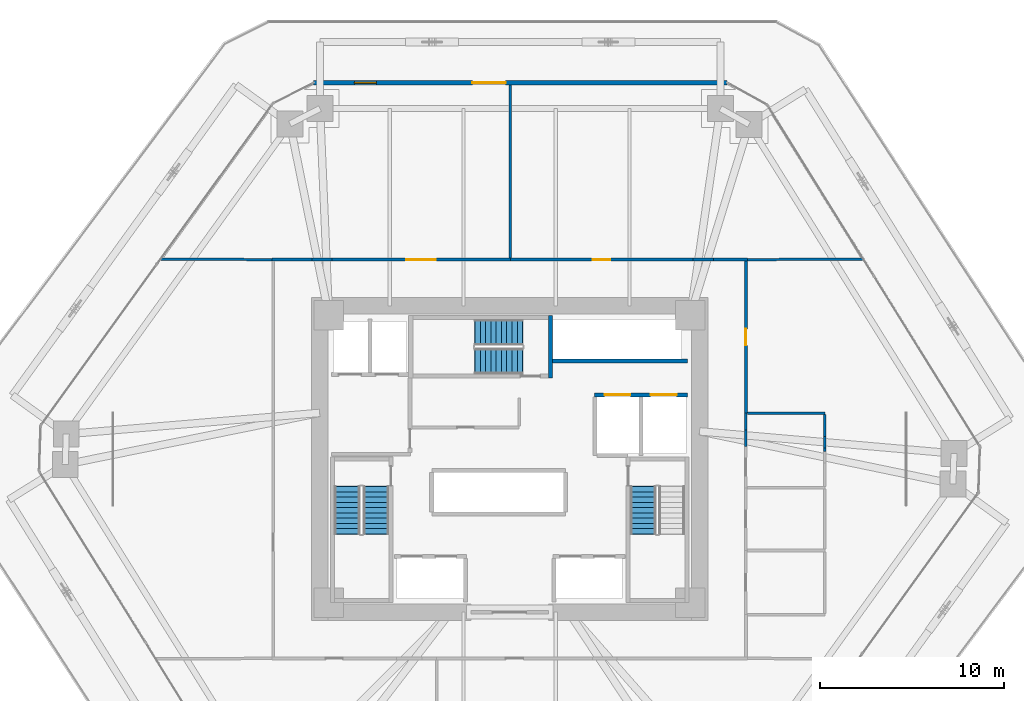
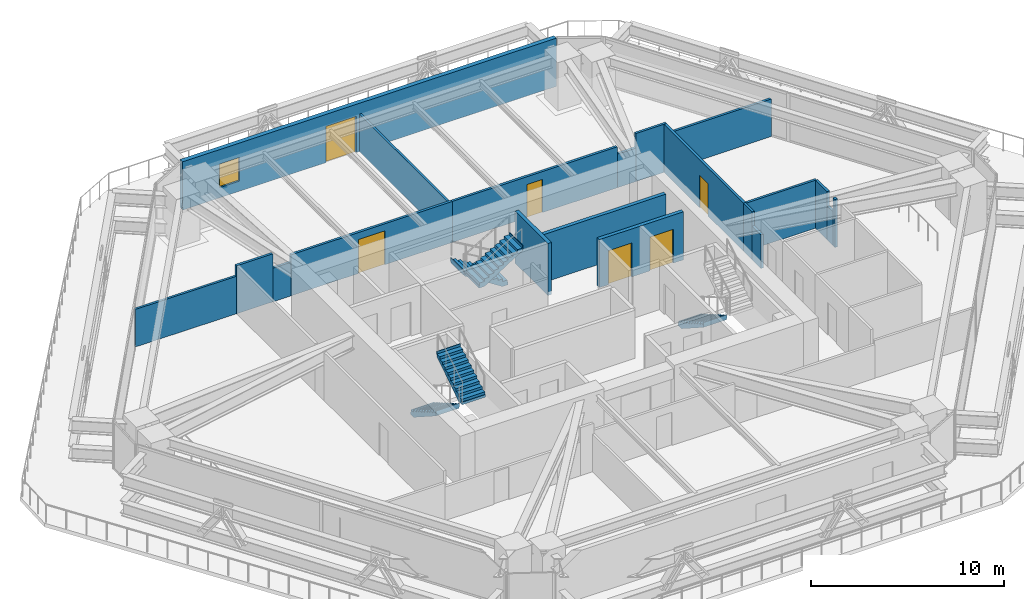
# One storey, part 15 of 20: 20 walls, 6 doors, 5 stair flights, 1 window, 7 openings, 3 elements without a shape of their own.
"""IFC4 building model written with IfcOpenShell, lengths in metres."""

from ifc_helpers import new_model, si_unit, direction, frame, frame_2d, origin, place, context, subcontext, project, spatial, polyline, rectangle, outline, extrude, source, transform, mapped, material, layer, layer_set, type_object, type_shapes, element, fill, aggregate, save


model = new_model("IFC4")

# Units and contexts
model_context = context("Model", 3, precision=1e-05, world=origin(), true_north=direction((0.0, 1.0)))
body_context = subcontext(model_context, "Body", "Model", "MODEL_VIEW")
ifc_project = project(units=[si_unit("LENGTHUNIT", "METRE"), si_unit("AREAUNIT", "SQUARE_METRE"), si_unit("VOLUMEUNIT", "CUBIC_METRE"), si_unit("PLANEANGLEUNIT", "RADIAN"), si_unit("MASSUNIT", "GRAM", prefix="KILO")], contexts=[model_context])

# Site, building, storey
site_placement = place(None, origin())
site = spatial("IfcSite", under=ifc_project, at=site_placement, CompositionType="ELEMENT")
building_placement = place(site_placement, origin())
building = spatial("IfcBuilding", under=site, at=building_placement, Name="Durnholm Broadcast Tower", CompositionType="ELEMENT")
storey_placement = place(building_placement, frame((0.0, 0.0, 32.39990234375)))
storey = spatial("IfcBuildingStorey", under=building, at=storey_placement, Name="L06", CompositionType="ELEMENT", Elevation=32.39990234375)

# Wall, openings, door, window
ifc_material_1 = material(Name="Precast Concrete C45/55", Category="concrete")
ifc_layer_1 = layer(ifc_material_1, 0.260009765625)
ifc_layer_set_1 = layer_set([ifc_layer_1], Name="Precast Concrete C45/55")
wall_type_1 = type_object("IfcWallType", Name="WALL-EXT-260", PredefinedType="SOLIDWALL", material=ifc_layer_set_1)
wall_1_placement = place(storey_placement, frame((-10.6201171875, 20.39990234375, 0.0), z_axis=(0.0, 0.0, 1.0), x_axis=(1.0, 0.0, 0.0)))
wall_1 = element("IfcWall", 1, at=wall_1_placement, inside=storey, type_object=wall_type_1, Name="L06 planted sky-terrace access wall 04", PredefinedType="SOLIDWALL", context=body_context, shape_type="SweptSolid", body=[
    extrude(rectangle(XDim=22.413818359375, YDim=0.260009765625, at=frame_2d((11.20703125, 0.0))), origin(), (0.0, 0.0, 1.0), 3.06005859375),
])
opening_1_placement = place(wall_1_placement, frame((8.60693359375, 0.0, 0.0)))
opening_1 = element("IfcOpeningElement", 2, at=opening_1_placement, cuts=wall_1, Name="Opening DT-1", PredefinedType="OPENING", context=body_context, shape_type="SweptSolid", body=[
    extrude(rectangle(XDim=1.800048828125, YDim=2.300048828125, at=frame_2d((0.89990234375, 1.14990234375))), frame((0.0, 0.14013671875, 0.0), z_axis=(0.0, -1.0, 0.0), x_axis=(1.0, 0.0, 0.0)), (0.0, 0.0, 1.0), 0.280029296875),
])
opening_2_placement = place(wall_1_placement, frame((2.199951171875, 0.0, 0.64990234375)))
opening_2 = element("IfcOpeningElement", 3, at=opening_2_placement, cuts=wall_1, Name="Opening W5", PredefinedType="OPENING", context=body_context, shape_type="SweptSolid", body=[
    extrude(rectangle(XDim=1.199951171875, YDim=1.5, at=frame_2d((0.60009765625, 0.75))), frame((0.0, 0.14013671875, 0.0), z_axis=(0.0, -1.0, 0.0), x_axis=(1.0, 0.0, 0.0)), (0.0, 0.0, 1.0), 0.280029296875),
])
ifc_material_2 = material(Name="Anodised Aluminium and Laminated Safety Glass", Category="aluminium")
ifc_layer_2 = layer(ifc_material_2, 0.050048828125)
ifc_layer_set_2 = layer_set([ifc_layer_2], Name="Anodised Aluminium and Laminated Safety Glass")
door_type_1 = type_object("IfcDoorType", Name="DOOR-EXT-TERR", OperationType="DOUBLE_DOOR_SINGLE_SWING", PredefinedType="DOOR", material=ifc_layer_set_2)
shared_shape_1 = source(origin(), body_context, "Body", "SweptSolid", [
    extrude(rectangle(XDim=1.800048828125, YDim=2.300048828125, at=frame_2d((0.89990234375, 1.14990234375))), frame((0.0, 0.02490234375, 0.0), z_axis=(0.0, -1.0, 0.0), x_axis=(1.0, 0.0, 0.0)), (0.0, 0.0, 1.0), 0.050048828125),
])
type_shapes(door_type_1, [shared_shape_1])
door_1_placement = place(opening_1_placement, origin())
door_1 = element("IfcDoor", 4, at=door_1_placement, inside=storey, type_object=door_type_1, Name="L06 planted sky-terrace access door 04", OperationType="DOUBLE_DOOR_SINGLE_SWING", OverallHeight=2.300048828125, OverallWidth=1.800048828125, PredefinedType="DOOR", context=body_context, shape_type="MappedRepresentation", body=[
    mapped(shared_shape_1, transform((0.0, 0.0, 0.0), x_axis=(1.0, 0.0, 0.0), y_axis=(0.0, 1.0, 0.0), z_axis=(0.0, 0.0, 1.0), scale=1.0)),
])
fill(opening_1, door_1)
ifc_material_3 = material(Name="Thermally Broken Aluminium and Laminated Glass", Category="aluminium")
ifc_layer_3 = layer(ifc_material_3, 0.06005859375)
ifc_layer_set_3 = layer_set([ifc_layer_3], Name="Thermally Broken Aluminium and Laminated Glass")
window_type = type_object("IfcWindowType", Name="WIN-W5", PartitioningType="SINGLE_PANEL", PredefinedType="WINDOW", material=ifc_layer_set_3)
shared_shape_2 = source(origin(), body_context, "Body", "SweptSolid", [
    extrude(rectangle(XDim=1.199951171875, YDim=1.5, at=frame_2d((0.60009765625, 0.75))), frame((0.0, 0.030029296875, 0.0), z_axis=(0.0, -1.0, 0.0), x_axis=(1.0, 0.0, 0.0)), (0.0, 0.0, 1.0), 0.06005859375),
])
type_shapes(window_type, [shared_shape_2])
window_placement = place(opening_2_placement, origin())
window = element("IfcWindow", 5, at=window_placement, inside=storey, type_object=window_type, Name="L06 terrace lounge window", OverallHeight=1.5, OverallWidth=1.199951171875, PartitioningType="SINGLE_PANEL", PredefinedType="WINDOW", context=body_context, shape_type="MappedRepresentation", body=[
    mapped(shared_shape_2, transform((0.0, 0.0, 0.0), x_axis=(1.0, 0.0, 0.0), y_axis=(0.0, 1.0, 0.0), z_axis=(0.0, 0.0, 1.0), scale=1.0)),
])
fill(opening_2, window)

# Walls
ifc_material_4 = material(Name="Gypsum Metal Stud Partition", Category="concrete")
ifc_layer_4 = layer(ifc_material_4, 0.135009765625)
ifc_layer_set_4 = layer_set([ifc_layer_4], Name="Gypsum Metal Stud Partition")
wall_type_2 = type_object("IfcWallType", Name="WALL-PART-135", PredefinedType="PARTITIONING", material=ifc_layer_set_4)
wall_2_placement = place(storey_placement, frame((0.0400390625, 20.264892578125, 0.0), z_axis=(0.0, 0.0, 1.0), x_axis=(0.0, -1.0, 0.0)))
element("IfcWall", 6, at=wall_2_placement, inside=storey, type_object=wall_type_2, Name="L06 room dividing partition 5.6", PredefinedType="PARTITIONING", context=body_context, shape_type="SweptSolid", body=[
    extrude(rectangle(XDim=9.3759765625, YDim=0.135009765625, at=frame_2d((4.68798828125, 0.0))), origin(), (0.0, 0.0, 1.0), 2.380126953125),
])
wall_3_placement = place(storey_placement, frame((-12.889892578125, 10.810302734375, 0.0), z_axis=(0.0, 0.0, 1.0), x_axis=(-0.999992607823, 0.003845035728, 0.0)))
element("IfcWall", 7, at=wall_3_placement, inside=storey, type_object=wall_type_2, Name="L06 room dividing partition 5.9", PredefinedType="PARTITIONING", context=body_context, shape_type="SweptSolid", body=[
    extrude(rectangle(XDim=6.031982421875, YDim=0.135009765625, at=frame_2d((3.01611328125, 0.0))), origin(), (0.0, 0.0, 1.0), 2.380126953125),
])
wall_4_placement = place(storey_placement, frame((19.18212890625, 10.831298828125, 0.0), z_axis=(0.0, 0.0, 1.0), x_axis=(-0.999994432845, -0.003336806783, 0.0)))
element("IfcWall", 8, at=wall_4_placement, inside=storey, type_object=wall_type_2, Name="L06 room dividing partition 6.10", PredefinedType="PARTITIONING", context=body_context, shape_type="SweptSolid", body=[
    extrude(rectangle(XDim=6.292236328125, YDim=0.135009765625, at=frame_2d((3.14599609375, 0.0))), origin(), (0.0, 0.0, 1.0), 2.380126953125),
])

# Wall, opening, door
ifc_material_5 = material(Name="Acoustic Gypsum Stud Partition", Category="concrete")
ifc_layer_5 = layer(ifc_material_5, 0.14990234375)
ifc_layer_set_5 = layer_set([ifc_layer_5], Name="Acoustic Gypsum Stud Partition")
wall_type_3 = type_object("IfcWallType", Name="WALL-PART-150", PredefinedType="PARTITIONING", material=ifc_layer_set_5)
wall_5_placement = place(storey_placement, frame((0.0400390625, 10.81005859375, 0.0), z_axis=(0.0, 0.0, 1.0), x_axis=(-1.0, 0.0, 0.0)))
wall_5 = element("IfcWall", 9, at=wall_5_placement, inside=storey, type_object=wall_type_3, Name="L06 Broadcast Newsroom Hall corridor partition", PredefinedType="PARTITIONING", context=body_context, shape_type="SweptSolid", body=[
    extrude(rectangle(XDim=9.66748046875, YDim=0.14990234375, at=frame_2d((4.833740234375, 0.0))), origin(), (0.0, 0.0, 1.0), 2.597900390625),
])
opening_3_placement = place(wall_5_placement, frame((4.03369140625, 0.0, 0.0)))
opening_3 = element("IfcOpeningElement", 10, at=opening_3_placement, cuts=wall_5, Name="Opening DST-160", PredefinedType="OPENING", context=body_context, shape_type="SweptSolid", body=[
    extrude(rectangle(XDim=1.60009765625, YDim=2.14990234375, at=frame_2d((0.800048828125, 1.074951171875))), frame((0.0, 0.0849609375, 0.0), z_axis=(0.0, -1.0, 0.0), x_axis=(1.0, 0.0, 0.0)), (0.0, 0.0, 1.0), 0.169921875),
])
ifc_material_6 = material(Name="Acoustic Broadcast Studio Sound-Lock Door", Category="steel")
ifc_layer_6 = layer(ifc_material_6, 0.050048828125)
ifc_layer_set_6 = layer_set([ifc_layer_6], Name="Acoustic Broadcast Studio Sound-Lock Door")
door_type_2 = type_object("IfcDoorType", Name="DOOR-STU-1600", OperationType="DOUBLE_DOOR_SINGLE_SWING", PredefinedType="DOOR", material=ifc_layer_set_6)
shared_shape_3 = source(origin(), body_context, "Body", "SweptSolid", [
    extrude(rectangle(XDim=1.60009765625, YDim=2.14990234375, at=frame_2d((0.800048828125, 1.074951171875))), frame((0.0, 0.02490234375, 0.0), z_axis=(0.0, -1.0, 0.0), x_axis=(1.0, 0.0, 0.0)), (0.0, 0.0, 1.0), 0.050048828125),
])
type_shapes(door_type_2, [shared_shape_3])
door_2_placement = place(opening_3_placement, origin())
door_2 = element("IfcDoor", 11, at=door_2_placement, inside=storey, type_object=door_type_2, Name="L06 Broadcast Newsroom Hall entrance door", OperationType="DOUBLE_DOOR_SINGLE_SWING", OverallHeight=2.14990234375, OverallWidth=1.60009765625, PredefinedType="DOOR", context=body_context, shape_type="MappedRepresentation", body=[
    mapped(shared_shape_3, transform((0.0, 0.0, 0.0), x_axis=(1.0, 0.0, 0.0), y_axis=(0.0, 1.0, 0.0), z_axis=(0.0, 0.0, 1.0), scale=1.0)),
])
fill(opening_3, door_2)

# Walls
wall_6_placement = place(storey_placement, frame((-10.719970703125, 10.81005859375, 0.0), z_axis=(0.0, 0.0, 1.0), x_axis=(-1.0, 0.0, 0.0)))
element("IfcWall", 12, at=wall_6_placement, inside=storey, type_object=wall_type_3, Name="L06 Broadcast Newsroom Hall corridor partition", PredefinedType="PARTITIONING", context=body_context, shape_type="SweptSolid", body=[
    extrude(rectangle(XDim=2.169921875, YDim=0.14990234375, at=frame_2d((1.0849609375, 0.0))), origin(), (0.0, 0.0, 1.0), 3.045166015625),
])
wall_7_placement = place(storey_placement, frame((-9.62744140625, 10.81005859375, 0.0), z_axis=(0.0, 0.0, 1.0), x_axis=(-1.0, 0.0, 0.0)))
element("IfcWall", 13, at=wall_7_placement, inside=storey, type_object=wall_type_3, Name="L06 Broadcast Newsroom Hall corridor partition", PredefinedType="PARTITIONING", context=body_context, shape_type="SweptSolid", body=[
    extrude(rectangle(XDim=1.092529296875, YDim=0.14990234375, at=frame_2d((0.54638671875, 0.0))), origin(), (0.0, 0.0, 1.0), 2.130126953125),
])
wall_8_placement = place(storey_placement, frame((12.889892578125, 10.81005859375, 0.0), z_axis=(0.0, 0.0, 1.0), x_axis=(-1.0, 0.0, 0.0)))
element("IfcWall", 14, at=wall_8_placement, inside=storey, type_object=wall_type_3, Name="L06 Live Assignment Lounge corridor partition", PredefinedType="PARTITIONING", context=body_context, shape_type="SweptSolid", body=[
    extrude(rectangle(XDim=1.847412109375, YDim=0.14990234375, at=frame_2d((0.923828125, 0.0))), origin(), (0.0, 0.0, 1.0), 3.045166015625),
])

# Wall, opening, door
wall_9_placement = place(storey_placement, frame((9.93310546875, 10.81005859375, 0.0), z_axis=(0.0, 0.0, 1.0), x_axis=(-1.0, 0.0, 0.0)))
wall_9 = element("IfcWall", 15, at=wall_9_placement, inside=storey, type_object=wall_type_3, Name="L06 Live Assignment Lounge corridor partition", PredefinedType="PARTITIONING", context=body_context, shape_type="SweptSolid", body=[
    extrude(rectangle(XDim=9.89306640625, YDim=0.14990234375, at=frame_2d((4.946533203125, 0.0))), origin(), (0.0, 0.0, 1.0), 2.597900390625),
])
opening_4_placement = place(wall_9_placement, frame((4.4716796875, 0.0, 0.0)))
opening_4 = element("IfcOpeningElement", 16, at=opening_4_placement, cuts=wall_9, Name="Opening DR-95L", PredefinedType="OPENING", context=body_context, shape_type="SweptSolid", body=[
    extrude(rectangle(XDim=0.949951171875, YDim=2.10009765625, at=frame_2d((0.47509765625, 1.050048828125))), frame((0.0, 0.0849609375, 0.0), z_axis=(0.0, -1.0, 0.0), x_axis=(1.0, 0.0, 0.0)), (0.0, 0.0, 1.0), 0.169921875),
])
ifc_material_7 = material(Name="Acoustic Oak Veneer Timber Door", Category="wood")
ifc_layer_7 = layer(ifc_material_7, 0.050048828125)
ifc_layer_set_7 = layer_set([ifc_layer_7], Name="Acoustic Oak Veneer Timber Door")
door_type_3 = type_object("IfcDoorType", Name="DOOR-RM-950L", OperationType="NOTDEFINED", PredefinedType="DOOR", material=ifc_layer_set_7)
shared_shape_4 = source(origin(), body_context, "Body", "SweptSolid", [
    extrude(rectangle(XDim=0.949951171875, YDim=2.10009765625, at=frame_2d((0.47509765625, 1.050048828125))), frame((0.0, 0.02490234375, 0.0), z_axis=(0.0, -1.0, 0.0), x_axis=(1.0, 0.0, 0.0)), (0.0, 0.0, 1.0), 0.050048828125),
])
type_shapes(door_type_3, [shared_shape_4])
door_3_placement = place(opening_4_placement, origin())
door_3 = element("IfcDoor", 17, at=door_3_placement, inside=storey, type_object=door_type_3, Name="L06 Live Assignment Lounge entrance door", OperationType="SINGLE_SWING_LEFT", OverallHeight=2.10009765625, OverallWidth=0.949951171875, PredefinedType="DOOR", context=body_context, shape_type="MappedRepresentation", body=[
    mapped(shared_shape_4, transform((0.0, 0.0, 0.0), x_axis=(1.0, 0.0, 0.0), y_axis=(0.0, 1.0, 0.0), z_axis=(0.0, 0.0, 1.0), scale=1.0)),
])
fill(opening_4, door_3)

# Wall
wall_10_placement = place(storey_placement, frame((11.04248046875, 10.81005859375, 0.0), z_axis=(0.0, 0.0, 1.0), x_axis=(-1.0, 0.0, 0.0)))
element("IfcWall", 18, at=wall_10_placement, inside=storey, type_object=wall_type_3, Name="L06 Live Assignment Lounge corridor partition", PredefinedType="PARTITIONING", context=body_context, shape_type="SweptSolid", body=[
    extrude(rectangle(XDim=1.109375, YDim=0.14990234375, at=frame_2d((0.5546875, 0.0))), origin(), (0.0, 0.0, 1.0), 2.130126953125),
])

# Wall, opening, door
wall_11_placement = place(storey_placement, frame((12.81005859375, 2.489990234375, 0.0), z_axis=(0.0, 0.0, 1.0), x_axis=(0.0, 1.0, 0.0)))
wall_11 = element("IfcWall", 19, at=wall_11_placement, inside=storey, type_object=wall_type_3, Name="L06 Media Archive Store corridor partition", PredefinedType="PARTITIONING", context=body_context, shape_type="SweptSolid", body=[
    extrude(rectangle(XDim=8.240966796875, YDim=0.14990234375, at=frame_2d((4.12060546875, 0.0))), origin(), (0.0, 0.0, 1.0), 3.045166015625),
])
opening_5_placement = place(wall_11_placement, frame((3.67041015625, 0.0, 0.0)))
opening_5 = element("IfcOpeningElement", 20, at=opening_5_placement, cuts=wall_11, Name="Opening DC-60R", PredefinedType="OPENING", context=body_context, shape_type="SweptSolid", body=[
    extrude(rectangle(XDim=0.89990234375, YDim=2.050048828125, at=frame_2d((0.449951171875, 1.02490234375))), frame((0.0, 0.0849609375, 0.0), z_axis=(0.0, -1.0, 0.0), x_axis=(1.0, 0.0, 0.0)), (0.0, 0.0, 1.0), 0.169921875),
])
ifc_material_8 = material(Name="Fire-Rated Core Service Door", Category="steel")
ifc_layer_8 = layer(ifc_material_8, 0.050048828125)
ifc_layer_set_8 = layer_set([ifc_layer_8], Name="Fire-Rated Core Service Door")
door_type_4 = type_object("IfcDoorType", Name="DOOR-CORE-FD60-R", OperationType="NOTDEFINED", PredefinedType="DOOR", material=ifc_layer_set_8)
shared_shape_5 = source(origin(), body_context, "Body", "SweptSolid", [
    extrude(rectangle(XDim=0.89990234375, YDim=2.050048828125, at=frame_2d((0.449951171875, 1.02490234375))), frame((0.0, 0.02490234375, 0.0), z_axis=(0.0, -1.0, 0.0), x_axis=(1.0, 0.0, 0.0)), (0.0, 0.0, 1.0), 0.050048828125),
])
type_shapes(door_type_4, [shared_shape_5])
door_4_placement = place(opening_5_placement, origin())
door_4 = element("IfcDoor", 21, at=door_4_placement, inside=storey, type_object=door_type_4, Name="L06 Media Archive Store entrance door", OperationType="SINGLE_SWING_RIGHT", OverallHeight=2.050048828125, OverallWidth=0.89990234375, PredefinedType="DOOR", context=body_context, shape_type="MappedRepresentation", body=[
    mapped(shared_shape_5, transform((0.0, 0.0, 0.0), x_axis=(1.0, 0.0, 0.0), y_axis=(0.0, 1.0, 0.0), z_axis=(0.0, 0.0, 1.0), scale=1.0)),
])
fill(opening_5, door_4)

# Wall, openings, doors
ifc_material_9 = material(Name="Concrete Blockwork C30/37", Category="masonry")
ifc_layer_9 = layer(ifc_material_9, 0.219970703125)
ifc_layer_set_9 = layer_set([ifc_layer_9], Name="Concrete Blockwork C30/37")
wall_type_4 = type_object("IfcWallType", Name="WALL-SHAFT-220", PredefinedType="SOLIDWALL", material=ifc_layer_set_9)
wall_12_placement = place(storey_placement, frame((4.60009765625, 3.47998046875, 0.0), z_axis=(0.0, 0.0, 1.0), x_axis=(1.0, 0.0, 0.0)))
wall_12 = element("IfcWall", 22, at=wall_12_placement, inside=storey, type_object=wall_type_4, Name="L06 freight service lifts north front wall", PredefinedType="SOLIDWALL", context=body_context, shape_type="SweptSolid", body=[
    extrude(rectangle(XDim=5.0498046875, YDim=0.219970703125, at=frame_2d((2.52490234375, 0.0))), origin(), (0.0, 0.0, 1.0), 3.045166015625),
])
opening_6_placement = place(wall_12_placement, frame((0.550048828125, 0.0, 0.0)))
opening_6 = element("IfcOpeningElement", 23, at=opening_6_placement, cuts=wall_12, Name="Opening LD-SVL-2", PredefinedType="OPENING", context=body_context, shape_type="SweptSolid", body=[
    extrude(rectangle(XDim=1.39990234375, YDim=2.14990234375, at=frame_2d((0.699951171875, 1.074951171875))), frame((0.0, 0.1201171875, 0.0), z_axis=(0.0, -1.0, 0.0), x_axis=(1.0, 0.0, 0.0)), (0.0, 0.0, 1.0), 0.239990234375),
])
opening_7_placement = place(wall_12_placement, frame((3.050048828125, 0.0, 0.0)))
opening_7 = element("IfcOpeningElement", 24, at=opening_7_placement, cuts=wall_12, Name="Opening LD-SVL-1", PredefinedType="OPENING", context=body_context, shape_type="SweptSolid", body=[
    extrude(rectangle(XDim=1.39990234375, YDim=2.14990234375, at=frame_2d((0.699951171875, 1.074951171875))), frame((0.0, 0.1201171875, 0.0), z_axis=(0.0, -1.0, 0.0), x_axis=(1.0, 0.0, 0.0)), (0.0, 0.0, 1.0), 0.239990234375),
])
ifc_material_10 = material(Name="Freight Elevator Bi-Parting Sliding Landing Door", Category="steel")
ifc_layer_10 = layer(ifc_material_10, 0.050048828125)
ifc_layer_set_10 = layer_set([ifc_layer_10], Name="Freight Elevator Bi-Parting Sliding Landing Door")
door_type_5 = type_object("IfcDoorType", Name="DOOR-LIFT-SVL", OperationType="DOUBLE_DOOR_SLIDING", PredefinedType="DOOR", material=ifc_layer_set_10)
shared_shape_6 = source(origin(), body_context, "Body", "SweptSolid", [
    extrude(rectangle(XDim=1.39990234375, YDim=2.14990234375, at=frame_2d((0.699951171875, 1.074951171875))), frame((0.0, 0.02490234375, 0.0), z_axis=(0.0, -1.0, 0.0), x_axis=(1.0, 0.0, 0.0)), (0.0, 0.0, 1.0), 0.050048828125),
])
type_shapes(door_type_5, [shared_shape_6])
door_5_placement = place(opening_6_placement, origin())
door_5 = element("IfcDoor", 25, at=door_5_placement, inside=storey, type_object=door_type_5, Name="L06 freight service elevator SVL-2 sliding landing door", OperationType="DOUBLE_DOOR_SLIDING", OverallHeight=2.14990234375, OverallWidth=1.39990234375, PredefinedType="DOOR", context=body_context, shape_type="MappedRepresentation", body=[
    mapped(shared_shape_6, transform((0.0, 0.0, 0.0), x_axis=(1.0, 0.0, 0.0), y_axis=(0.0, 1.0, 0.0), z_axis=(0.0, 0.0, 1.0), scale=1.0)),
])
fill(opening_6, door_5)
door_6_placement = place(opening_7_placement, origin())
door_6 = element("IfcDoor", 26, at=door_6_placement, inside=storey, type_object=door_type_5, Name="L06 freight service elevator SVL-1 sliding landing door", OperationType="DOUBLE_DOOR_SLIDING", OverallHeight=2.14990234375, OverallWidth=1.39990234375, PredefinedType="DOOR", context=body_context, shape_type="MappedRepresentation", body=[
    mapped(shared_shape_6, transform((0.0, 0.0, 0.0), x_axis=(1.0, 0.0, 0.0), y_axis=(0.0, 1.0, 0.0), z_axis=(0.0, 0.0, 1.0), scale=1.0)),
])
fill(opening_7, door_6)

# Walls
wall_13_placement = place(storey_placement, frame((2.324951171875, 5.320068359375, 0.0), z_axis=(0.0, 0.0, 1.0), x_axis=(1.0, 0.0, 0.0)))
element("IfcWall", 27, at=wall_13_placement, inside=storey, type_object=wall_type_4, Name="L06 high-rise bank P3 south front wall", PredefinedType="SOLIDWALL", context=body_context, shape_type="SweptSolid", body=[
    extrude(rectangle(XDim=7.324951171875, YDim=0.219970703125, at=frame_2d((3.66259765625, 0.0))), origin(), (0.0, 0.0, 1.0), 3.045166015625),
])
ifc_material_11 = material(Name="Concrete C50/60", Category="concrete")
ifc_layer_11 = layer(ifc_material_11, 0.219970703125)
ifc_layer_set_11 = layer_set([ifc_layer_11], Name="Concrete C50/60")
wall_type_5 = type_object("IfcWallType", Name="WALL-SW-220", PredefinedType="SHEAR", material=ifc_layer_set_11)
wall_14_placement = place(storey_placement, frame((2.2099609375, 4.3798828125, -0.239990234375), z_axis=(0.0, 0.0, 1.0), x_axis=(0.0, 1.0, 0.0)))
element("IfcWall", 28, at=wall_14_placement, inside=storey, type_object=wall_type_5, Name="L06 stair ST-3 structural shaft wall E", PredefinedType="SHEAR", context=body_context, shape_type="SweptSolid", body=[
    extrude(rectangle(XDim=3.400146484375, YDim=0.219970703125, at=frame_2d((1.7001953125, 0.0))), origin(), (0.0, 0.0, 1.0), 3.300048828125),
])
ifc_material_12 = material(Name="Moisture-Resistant Tile Partition", Category="concrete")
ifc_layer_12 = layer(ifc_material_12, 0.139892578125)
ifc_layer_set_12 = layer_set([ifc_layer_12], Name="Moisture-Resistant Tile Partition")
wall_type_6 = type_object("IfcWallType", Name="WALL-WC-140", PredefinedType="PARTITIONING", material=ifc_layer_set_12)
wall_15_placement = place(storey_placement, frame((12.81005859375, 1.584716796875, 0.0), z_axis=(0.0, 0.0, 1.0), x_axis=(0.0, 1.0, 0.0)))
element("IfcWall", 29, at=wall_15_placement, inside=storey, type_object=wall_type_6, Name="L06 Accessible Restroom corridor partition", PredefinedType="PARTITIONING", context=body_context, shape_type="SweptSolid", body=[
    extrude(rectangle(XDim=0.9052734375, YDim=0.139892578125, at=frame_2d((0.45263671875, 0.0))), origin(), (0.0, 0.0, 1.0), 3.045166015625),
])
wall_16_placement = place(storey_placement, frame((12.81005859375, 0.671142578125, 0.0), z_axis=(0.0, 0.0, 1.0), x_axis=(0.0, 1.0, 0.0)))
element("IfcWall", 30, at=wall_16_placement, inside=storey, type_object=wall_type_6, Name="L06 Accessible Restroom corridor partition", PredefinedType="PARTITIONING", context=body_context, shape_type="SweptSolid", body=[
    extrude(rectangle(XDim=0.91357421875, YDim=0.139892578125, at=frame_2d((0.456787109375, 0.0))), origin(), (0.0, 0.0, 1.0), 2.130126953125),
])
wall_17_placement = place(storey_placement, frame((12.888916015625, 2.489990234375, 0.0), z_axis=(0.0, 0.0, 1.0), x_axis=(1.0, 0.0, 0.0)))
element("IfcWall", 31, at=wall_17_placement, inside=storey, type_object=wall_type_6, Name="L06 room dividing partition 4.10", PredefinedType="PARTITIONING", context=body_context, shape_type="SweptSolid", body=[
    extrude(rectangle(XDim=4.201171875, YDim=0.139892578125, at=frame_2d((2.1005859375, 0.0))), origin(), (0.0, 0.0, 1.0), 3.045166015625),
])
wall_18_placement = place(storey_placement, frame((17.090087890625, 2.416015625, 0.0), z_axis=(0.0, 0.0, 1.0), x_axis=(0.0, -1.0, 0.0)))
element("IfcWall", 32, at=wall_18_placement, inside=storey, type_object=wall_type_6, Name="L06 room dividing partition 4.10", PredefinedType="PARTITIONING", context=body_context, shape_type="SweptSolid", body=[
    extrude(rectangle(XDim=1.203857421875, YDim=0.139892578125, at=frame_2d((0.60205078125, 0.0))), origin(), (0.0, 0.0, 1.0), 3.045166015625),
])
wall_19_placement = place(storey_placement, frame((17.090087890625, 0.60595703125, 0.0), z_axis=(0.0, 0.0, 1.0), x_axis=(0.0, -1.0, 0.0)))
element("IfcWall", 33, at=wall_19_placement, inside=storey, type_object=wall_type_6, Name="L06 room dividing partition 4.10", PredefinedType="PARTITIONING", context=body_context, shape_type="SweptSolid", body=[
    extrude(rectangle(XDim=0.205078125, YDim=0.139892578125, at=frame_2d((0.1025390625, 0.0))), origin(), (0.0, 0.0, 1.0), 3.045166015625),
])
wall_20_placement = place(storey_placement, frame((17.090087890625, 1.212158203125, 0.0), z_axis=(0.0, 0.0, 1.0), x_axis=(0.0, -1.0, 0.0)))
element("IfcWall", 34, at=wall_20_placement, inside=storey, type_object=wall_type_6, Name="L06 room dividing partition 4.10", PredefinedType="PARTITIONING", context=body_context, shape_type="SweptSolid", body=[
    extrude(rectangle(XDim=0.606201171875, YDim=0.139892578125, at=frame_2d((0.30322265625, 0.0))), origin(), (0.0, 0.0, 1.0), 2.130126953125),
])

# Stair, stair flights
stair_type = type_object("IfcStairType", Name="STAIR-DL-20R1650", PredefinedType="HALF_TURN_STAIR", material=ifc_material_11)
stair_1_placement = place(storey_placement, origin())
stair_1 = element("IfcStair", 35, at=stair_1_placement, inside=storey, type_object=stair_type, Name="L06 ST-1", PredefinedType="HALF_TURN_STAIR")
stair_flight_type = type_object("IfcStairFlightType", Name="FLIGHT-DL-20R1650", PredefinedType="STRAIGHT", material=ifc_material_11)
stair_flight_1_placement = place(storey_placement, frame((-8.800048828125, -1.5, 0.0), z_axis=(0.0, 0.0, 1.0), x_axis=(0.0, -1.0, 0.0)))
stair_flight_1 = element("IfcStairFlight", 36, at=stair_flight_1_placement, type_object=stair_flight_type, Name="ST-1 flight 1", NumberOfRisers=10, NumberOfTreads=9, PredefinedType="STRAIGHT", RiserHeight=0.165, TreadLength=0.285, context=body_context, shape_type="SweptSolid", body=[
    extrude(outline(polyline([(-0.0400390625, -0.14990234375), (-0.0400390625, 0.0), (0.0, 0.0), (0.0, 0.1650390625), (0.284912109375, 0.1650390625), (0.284912109375, 0.330078125), (0.570068359375, 0.330078125), (0.570068359375, 0.4951171875), (0.85498046875, 0.4951171875), (0.85498046875, 0.659912109375), (1.139892578125, 0.659912109375), (1.139892578125, 0.824951171875), (1.425048828125, 0.824951171875), (1.425048828125, 0.989990234375), (1.7099609375, 0.989990234375), (1.7099609375, 1.155029296875), (1.9951171875, 1.155029296875), (1.9951171875, 1.320068359375), (2.280029296875, 1.320068359375), (2.280029296875, 1.485107421875), (2.56494140625, 1.485107421875), (2.56494140625, 1.64990234375), (2.60498046875, 1.64990234375), (2.60498046875, 1.5), (2.56494140625, 1.311767578125), (0.299072265625, -0.14990234375), (-0.0400390625, -0.14990234375)])), frame((0.0, 0.699951171875, 0.0), z_axis=(0.0, -1.0, 0.0), x_axis=(1.0, 0.0, 0.0)), (0.0, 0.0, 1.0), 1.39990234375),
])
stair_flight_2_placement = place(storey_placement, frame((-7.239990234375, -4.06494140625, 1.650146484375), z_axis=(0.0, 0.0, 1.0), x_axis=(0.0, 1.0, 0.0)))
stair_flight_2 = element("IfcStairFlight", 37, at=stair_flight_2_placement, type_object=stair_flight_type, Name="ST-1 flight 2", NumberOfRisers=10, NumberOfTreads=9, PredefinedType="STRAIGHT", RiserHeight=0.165, TreadLength=0.285, context=body_context, shape_type="SweptSolid", body=[
    extrude(outline(polyline([(-0.0400390625, -0.14990234375), (-0.0400390625, 0.0), (0.0, 0.0), (0.0, 0.1650390625), (0.284912109375, 0.1650390625), (0.284912109375, 0.330078125), (0.570068359375, 0.330078125), (0.570068359375, 0.4951171875), (0.85498046875, 0.4951171875), (0.85498046875, 0.659912109375), (1.139892578125, 0.659912109375), (1.139892578125, 0.824951171875), (1.425048828125, 0.824951171875), (1.425048828125, 0.989990234375), (1.7099609375, 0.989990234375), (1.7099609375, 1.155029296875), (1.9951171875, 1.155029296875), (1.9951171875, 1.320068359375), (2.280029296875, 1.320068359375), (2.280029296875, 1.485107421875), (2.56494140625, 1.485107421875), (2.56494140625, 1.64990234375), (2.60498046875, 1.64990234375), (2.60498046875, 1.5), (2.56494140625, 1.311767578125), (0.299072265625, -0.14990234375), (-0.0400390625, -0.14990234375)])), frame((0.0, 0.699951171875, 0.0), z_axis=(0.0, -1.0, 0.0), x_axis=(1.0, 0.0, 0.0)), (0.0, 0.0, 1.0), 1.39990234375),
])
aggregate(stair_1, [stair_flight_1, stair_flight_2])

# Stair, stair flight
stair_2_placement = place(storey_placement, origin())
stair_2 = element("IfcStair", 38, at=stair_2_placement, inside=storey, type_object=stair_type, Name="L06 ST-2", PredefinedType="HALF_TURN_STAIR")
stair_flight_3_placement = place(storey_placement, frame((7.239990234375, -1.5, 0.0), z_axis=(0.0, 0.0, 1.0), x_axis=(0.0, -1.0, 0.0)))
stair_flight_3 = element("IfcStairFlight", 39, at=stair_flight_3_placement, type_object=stair_flight_type, Name="ST-2 flight 1", NumberOfRisers=10, NumberOfTreads=9, PredefinedType="STRAIGHT", RiserHeight=0.165, TreadLength=0.285, context=body_context, shape_type="SweptSolid", body=[
    extrude(outline(polyline([(-0.0400390625, -0.14990234375), (-0.0400390625, 0.0), (0.0, 0.0), (0.0, 0.1650390625), (0.284912109375, 0.1650390625), (0.284912109375, 0.330078125), (0.570068359375, 0.330078125), (0.570068359375, 0.4951171875), (0.85498046875, 0.4951171875), (0.85498046875, 0.659912109375), (1.139892578125, 0.659912109375), (1.139892578125, 0.824951171875), (1.425048828125, 0.824951171875), (1.425048828125, 0.989990234375), (1.7099609375, 0.989990234375), (1.7099609375, 1.155029296875), (1.9951171875, 1.155029296875), (1.9951171875, 1.320068359375), (2.280029296875, 1.320068359375), (2.280029296875, 1.485107421875), (2.56494140625, 1.485107421875), (2.56494140625, 1.64990234375), (2.60498046875, 1.64990234375), (2.60498046875, 1.5), (2.56494140625, 1.311767578125), (0.299072265625, -0.14990234375), (-0.0400390625, -0.14990234375)])), frame((0.0, 0.699951171875, 0.0), z_axis=(0.0, -1.0, 0.0), x_axis=(1.0, 0.0, 0.0)), (0.0, 0.0, 1.0), 1.39990234375),
])
aggregate(stair_2, [stair_flight_3])

# Stair, stair flights
stair_3_placement = place(storey_placement, origin())
stair_3 = element("IfcStair", 40, at=stair_3_placement, inside=storey, type_object=stair_type, Name="L06 ST-3", PredefinedType="HALF_TURN_STAIR")
stair_flight_4_placement = place(storey_placement, frame((0.699951171875, 6.860107421875, 0.0), z_axis=(0.0, 0.0, 1.0), x_axis=(-1.0, 0.0, 0.0)))
stair_flight_4 = element("IfcStairFlight", 41, at=stair_flight_4_placement, type_object=stair_flight_type, Name="ST-3 flight 1", NumberOfRisers=10, NumberOfTreads=9, PredefinedType="STRAIGHT", RiserHeight=0.165, TreadLength=0.285, context=body_context, shape_type="SweptSolid", body=[
    extrude(outline(polyline([(-0.0400390625, -0.14990234375), (-0.0400390625, 0.0), (0.0, 0.0), (0.0, 0.1650390625), (0.284912109375, 0.1650390625), (0.284912109375, 0.330078125), (0.570068359375, 0.330078125), (0.570068359375, 0.4951171875), (0.85498046875, 0.4951171875), (0.85498046875, 0.659912109375), (1.139892578125, 0.659912109375), (1.139892578125, 0.824951171875), (1.425048828125, 0.824951171875), (1.425048828125, 0.989990234375), (1.7099609375, 0.989990234375), (1.7099609375, 1.155029296875), (1.9951171875, 1.155029296875), (1.9951171875, 1.320068359375), (2.280029296875, 1.320068359375), (2.280029296875, 1.485107421875), (2.56494140625, 1.485107421875), (2.56494140625, 1.64990234375), (2.60498046875, 1.64990234375), (2.60498046875, 1.5), (2.56494140625, 1.311767578125), (0.299072265625, -0.14990234375), (-0.0400390625, -0.14990234375)])), frame((0.0, 0.699951171875, 0.0), z_axis=(0.0, -1.0, 0.0), x_axis=(1.0, 0.0, 0.0)), (0.0, 0.0, 1.0), 1.39990234375),
])
stair_flight_5_placement = place(storey_placement, frame((-1.864990234375, 5.300048828125, 1.650146484375), z_axis=(0.0, 0.0, 1.0), x_axis=(1.0, 0.0, 0.0)))
stair_flight_5 = element("IfcStairFlight", 42, at=stair_flight_5_placement, type_object=stair_flight_type, Name="ST-3 flight 2", NumberOfRisers=10, NumberOfTreads=9, PredefinedType="STRAIGHT", RiserHeight=0.165, TreadLength=0.285, context=body_context, shape_type="SweptSolid", body=[
    extrude(outline(polyline([(-0.0400390625, -0.14990234375), (-0.0400390625, 0.0), (0.0, 0.0), (0.0, 0.1650390625), (0.284912109375, 0.1650390625), (0.284912109375, 0.330078125), (0.570068359375, 0.330078125), (0.570068359375, 0.4951171875), (0.85498046875, 0.4951171875), (0.85498046875, 0.659912109375), (1.139892578125, 0.659912109375), (1.139892578125, 0.824951171875), (1.425048828125, 0.824951171875), (1.425048828125, 0.989990234375), (1.7099609375, 0.989990234375), (1.7099609375, 1.155029296875), (1.9951171875, 1.155029296875), (1.9951171875, 1.320068359375), (2.280029296875, 1.320068359375), (2.280029296875, 1.485107421875), (2.56494140625, 1.485107421875), (2.56494140625, 1.64990234375), (2.60498046875, 1.64990234375), (2.60498046875, 1.5), (2.56494140625, 1.311767578125), (0.299072265625, -0.14990234375), (-0.0400390625, -0.14990234375)])), frame((0.0, 0.699951171875, 0.0), z_axis=(0.0, -1.0, 0.0), x_axis=(1.0, 0.0, 0.0)), (0.0, 0.0, 1.0), 1.39990234375),
])
aggregate(stair_3, [stair_flight_4, stair_flight_5])

save(model, "model.ifc")
